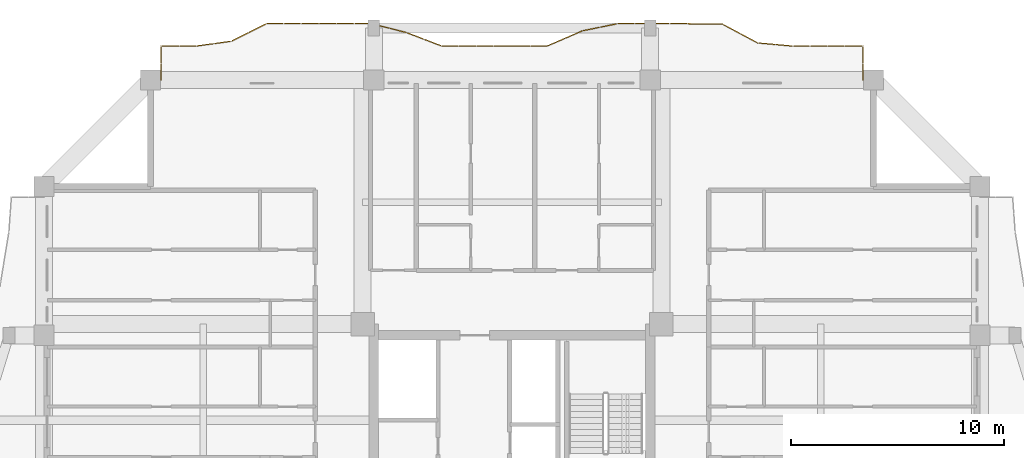
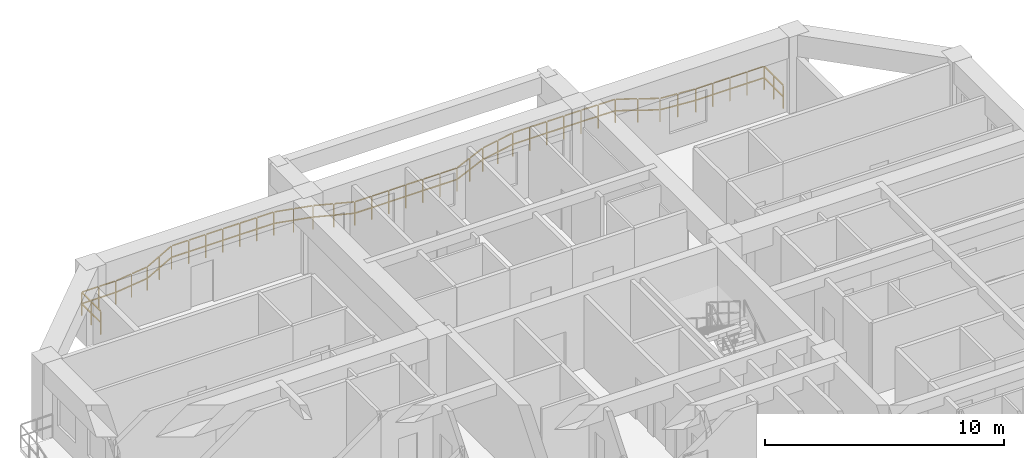
# One storey, part 15 of 15: 1 railing.
"""IFC4 building model written with IfcOpenShell, lengths in metres."""

import ifcopenshell
import ifcopenshell.guid

model = None  # the IFC model being written
_history = None  # IfcOwnerHistory: only IFC2X3 demands one
_inside = {}  # id of a spatial element -> (the spatial element, [elements in it])
_under = {}  # id of a project, library or spatial element -> (it, [spatial elements below it])
_declared = {}  # id of a project -> (the project, [libraries it declares])
_typed = {}  # id of a type object -> (the type object, [elements of that type])
_made_of = {}  # id of a material, layer set ... -> (it, [elements and type objects made of it])


def new_model(schema):
    """Start an empty IFC model of exactly this schema.

    Asked for "IFC4X3", IfcOpenShell would pick the latest addendum, in which some entities
    have other attributes; the version numbers below select the first issue.
    IFC2X3 requires an IfcOwnerHistory on every rooted entity: one is made here for all.
    """
    global model, _history
    if schema == "IFC4X3":
        model = ifcopenshell.file(schema_version=(4, 3, 0, 0))
    else:
        model = ifcopenshell.file(schema=schema)
    _inside.clear()
    _under.clear()
    _declared.clear()
    _typed.clear()
    _made_of.clear()
    _history = None
    if model.schema == "IFC2X3":
        org = make("IfcOrganization", Name="unknown")
        user = make(
            "IfcPersonAndOrganization",
            ThePerson=make("IfcPerson", FamilyName="unknown"),
            TheOrganization=org,
        )
        app = make(
            "IfcApplication",
            ApplicationDeveloper=org,
            Version="unknown",
            ApplicationFullName="unknown",
            ApplicationIdentifier="unknown",
        )
        _history = make(
            "IfcOwnerHistory",
            OwningUser=user,
            OwningApplication=app,
            ChangeAction="ADDED",
            CreationDate=0,
        )
    return model


def make(cls, **values):
    """One entity of the class cls with the attributes given. An attribute that is None is left unset."""
    return model.create_entity(
        cls, **{name: value for name, value in values.items() if value is not None}
    )


def rooted(cls, **values):
    """An entity with a GlobalId (a new one), such as an element, a storey or a relation."""
    return make(cls, GlobalId=ifcopenshell.guid.new(), OwnerHistory=_history, **values)


def si_unit(unit_type, name, prefix=None):
    """IfcSIUnit, for example si_unit("LENGTHUNIT", "METRE", prefix="MILLI")."""
    return make("IfcSIUnit", UnitType=unit_type, Prefix=prefix, Name=name)


def assignment(units):
    """IfcUnitAssignment: the units of a project."""
    return None if units is None else make("IfcUnitAssignment", Units=units)


def point(xyz):
    """IfcCartesianPoint."""
    return None if xyz is None else make("IfcCartesianPoint", Coordinates=xyz)


def direction(xyz):
    """IfcDirection."""
    return None if xyz is None else make("IfcDirection", DirectionRatios=xyz)


def frame(location, z_axis=None, x_axis=None):
    """IfcAxis2Placement3D, a coordinate frame: its origin and axes. An axis left out is left unset."""
    return make(
        "IfcAxis2Placement3D",
        Location=point(location),
        Axis=direction(z_axis),
        RefDirection=direction(x_axis),
    )


def frame_2d(location, x_axis=None):
    """IfcAxis2Placement2D, a coordinate frame in the plane: its origin and x axis."""
    return make(
        "IfcAxis2Placement2D", Location=point(location), RefDirection=direction(x_axis)
    )


def origin():
    """The frame at (0, 0, 0) with its axes left unset."""
    return frame((0.0, 0.0, 0.0))


def origin_2d():
    """The frame at (0, 0) in the plane with its x axis left unset."""
    return frame_2d((0.0, 0.0))


def place(relative_to, where):
    """IfcLocalPlacement: puts the frame where relative to a parent placement (None: the world)."""
    return make(
        "IfcLocalPlacement", PlacementRelTo=relative_to, RelativePlacement=where
    )


def context(
    kind, dimensions, precision=None, world=None, true_north=None, identifier=None
):
    """IfcGeometricRepresentationContext, for example the 3D "Model" context."""
    return make(
        "IfcGeometricRepresentationContext",
        ContextIdentifier=identifier,
        ContextType=kind,
        CoordinateSpaceDimension=dimensions,
        Precision=precision,
        WorldCoordinateSystem=world,
        TrueNorth=true_north,
    )


def subcontext(parent, identifier, kind, view, scale=None):
    """IfcGeometricRepresentationSubContext, for example "Body" below "Model"."""
    return make(
        "IfcGeometricRepresentationSubContext",
        ContextIdentifier=identifier,
        ContextType=kind,
        ParentContext=parent,
        TargetScale=scale,
        TargetView=view,
    )


def project(units=None, contexts=None):
    """IfcProject with its units and contexts."""
    return rooted(
        "IfcProject",
        Name="project",
        RepresentationContexts=contexts,
        UnitsInContext=assignment(units),
    )


def spatial(cls, under=None, at=None, **own):
    """A site, building, storey or space (cls), placed at a placement, below another one or the project."""
    s = rooted(cls, ObjectPlacement=at, **own)
    if under is not None:
        _under.setdefault(under.id(), (under, []))[1].append(s)
    return s


def profile(cls, at=None, kind="AREA", **sizes):
    """A parametric profile (cls). Its sizes go by their IFC names, for example OverallWidth=200.0."""
    return make(cls, ProfileType=kind, Position=at, **sizes)


def rectangle(**sizes):
    """IfcRectangleProfileDef."""
    return profile("IfcRectangleProfileDef", **sizes)


def extrude(swept, where, along, depth):
    """IfcExtrudedAreaSolid: the profile swept, set in the frame where, extruded along a direction by depth."""
    return make(
        "IfcExtrudedAreaSolid",
        SweptArea=swept,
        Position=where,
        ExtrudedDirection=direction(along),
        Depth=depth,
    )


def shape(context_of_items, identifier, shape_type, items):
    """IfcShapeRepresentation: the items that make up one representation, for example the "Body"."""
    return make(
        "IfcShapeRepresentation",
        ContextOfItems=context_of_items,
        RepresentationIdentifier=identifier,
        RepresentationType=shape_type,
        Items=items,
    )


def material(Name=None, Category=None):
    """IfcMaterial."""
    return make("IfcMaterial", Name=Name, Category=Category)


def made_of(thing, what):
    """Note that an element or type object is made of a material, layer set ...; save() writes the relation."""
    if what is not None:
        _made_of.setdefault(what.id(), (what, []))[1].append(thing)
    return thing


def type_object(cls, material=None, **own):
    """A type object (cls), such as IfcWallType, which elements share."""
    return made_of(rooted(cls, **own), material)


def element(
    cls,
    number,
    at=None,
    inside=None,
    cuts=None,
    type_object=None,
    material=None,
    context=None,
    identifier="Body",
    shape_type=None,
    held_by="IfcProductDefinitionShape",
    body=None,
    shapes=None,
    **own,
):
    """One element of the class cls, such as IfcWall. Its Tag is "e" and its number.

    at: its placement. inside: the storey or other place that contains it. cuts: it is an
    opening in that element (IfcRelVoidsElement). A single representation is given by context,
    identifier, shape_type and body (its items); several are given by shapes. held_by: the class
    of the entity that holds the representations. save() writes the other relations.
    """
    e = rooted(cls, Tag="e%d" % number, ObjectPlacement=at, **own)
    if body is not None:
        shapes = [shape(context, identifier, shape_type, body)]
    if shapes is not None:
        e.Representation = make(held_by, Representations=shapes)
    if inside is not None:
        _inside.setdefault(inside.id(), (inside, []))[1].append(e)
    if cuts is not None:
        rooted(
            "IfcRelVoidsElement", RelatingBuildingElement=cuts, RelatedOpeningElement=e
        )
    if type_object is not None:
        _typed.setdefault(type_object.id(), (type_object, []))[1].append(e)
    return made_of(e, material)


def aggregate(whole, parts):
    """IfcRelAggregates: a whole, such as a stair, and the parts it consists of."""
    return rooted("IfcRelAggregates", RelatingObject=whole, RelatedObjects=parts)


def save(model, path):
    """Write the relations noted so far, then the file.

    IfcRelAggregates (storeys below a building ...), IfcRelContainedInSpatialStructure (elements
    in a storey), IfcRelDefinesByType, IfcRelAssociatesMaterial and IfcRelDeclares: one each for
    every whole, place, type object, material and project.
    """
    for whole, parts in _under.values():
        aggregate(whole, parts)
    for where, things in _inside.values():
        rooted(
            "IfcRelContainedInSpatialStructure",
            RelatedElements=things,
            RelatingStructure=where,
        )
    for kind, things in _typed.values():
        rooted("IfcRelDefinesByType", RelatedObjects=things, RelatingType=kind)
    for what, things in _made_of.values():
        rooted("IfcRelAssociatesMaterial", RelatedObjects=things, RelatingMaterial=what)
    for by, libraries in _declared.values():
        rooted("IfcRelDeclares", RelatingContext=by, RelatedDefinitions=libraries)
    model.write(path)


model = new_model("IFC4")

# Units and contexts
model_context = context("Model", 3, precision=1e-05, world=origin(), true_north=direction((0.0, 1.0)))
body_context = subcontext(model_context, "Body", "Model", "MODEL_VIEW")
ifc_project = project(units=[si_unit("LENGTHUNIT", "METRE"), si_unit("AREAUNIT", "SQUARE_METRE"), si_unit("VOLUMEUNIT", "CUBIC_METRE"), si_unit("PLANEANGLEUNIT", "RADIAN"), si_unit("MASSUNIT", "GRAM", prefix="KILO")], contexts=[model_context])

# Site, building, storey
site_placement = place(None, origin())
site = spatial("IfcSite", under=ifc_project, at=site_placement, CompositionType="ELEMENT")
building_placement = place(site_placement, origin())
building = spatial("IfcBuilding", under=site, at=building_placement, Name="Saelheon Loggia Tower", CompositionType="ELEMENT")
storey_placement = place(building_placement, frame((0.0, 0.0, 159.10009765625)))
storey = spatial("IfcBuildingStorey", under=building, at=storey_placement, Name="L50", CompositionType="ELEMENT", Elevation=159.10009765625)

# Railing
ifc_material = material(Name="Architectural Precast Concrete and Laminated Glass Guard", Category="concrete")
railing_type = type_object("IfcRailingType", Name="Guard_Loggia_RL_LOG", PredefinedType="BALUSTRADE", material=ifc_material)
railing_placement = place(storey_placement, frame((54.5, 48.0, 0.0)))
element("IfcRailing", 1, at=railing_placement, inside=storey, type_object=railing_type, Name="L50 North Loggia Balustrade", PredefinedType="BALUSTRADE", context=body_context, shape_type="SweptSolid", body=[
    extrude(rectangle(XDim=0.048095703125, YDim=0.048095703125, at=origin_2d()), frame((0.0, 0.033203125, 1.19580078125), z_axis=(0.0, 1.0, 0.0), x_axis=(-1.0, 0.0, 0.0)), (0.0, 0.0, 1.0), 0.733642578125),
    extrude(rectangle(XDim=0.048095703125, YDim=0.048095703125, at=origin_2d()), frame((0.0, 0.033203125, 0.60986328125), z_axis=(0.0, 1.0, 0.0), x_axis=(-1.0, 0.0, 0.0)), (0.0, 0.0, 1.0), 0.733642578125),
    extrude(rectangle(XDim=0.048095703125, YDim=0.048095703125, at=origin_2d()), frame((0.0, 0.833251953125, 1.19580078125), z_axis=(0.0, 1.0, 0.0), x_axis=(-1.0, 0.0, 0.0)), (0.0, 0.0, 1.0), 0.733642578125),
    extrude(rectangle(XDim=0.048095703125, YDim=0.048095703125, at=origin_2d()), frame((0.0, 0.833251953125, 0.60986328125), z_axis=(0.0, 1.0, 0.0), x_axis=(-1.0, 0.0, 0.0)), (0.0, 0.0, 1.0), 0.733642578125),
    extrude(rectangle(XDim=0.048095703125, YDim=0.048095703125, at=origin_2d()), frame((-0.033203125, 1.60009765625, 1.19580078125), z_axis=(-1.0, 0.0, 0.0), x_axis=(0.0, -1.0, 0.0)), (0.0, 0.0, 1.0), 0.758544921875),
    extrude(rectangle(XDim=0.048095703125, YDim=0.048095703125, at=origin_2d()), frame((-0.033203125, 1.60009765625, 0.60986328125), z_axis=(-1.0, 0.0, 0.0), x_axis=(0.0, -1.0, 0.0)), (0.0, 0.0, 1.0), 0.758544921875),
    extrude(rectangle(XDim=0.048095703125, YDim=0.048095703125, at=origin_2d()), frame((-0.858154296875, 1.60009765625, 1.19580078125), z_axis=(-1.0, 0.0, 0.0), x_axis=(0.0, -1.0, 0.0)), (0.0, 0.0, 1.0), 0.758544921875),
    extrude(rectangle(XDim=0.048095703125, YDim=0.048095703125, at=origin_2d()), frame((-0.858154296875, 1.60009765625, 0.60986328125), z_axis=(-1.0, 0.0, 0.0), x_axis=(0.0, -1.0, 0.0)), (0.0, 0.0, 1.0), 0.758544921875),
    extrude(rectangle(XDim=0.048095703125, YDim=0.048095703125, at=origin_2d()), frame((-1.68310546875, 1.60009765625, 1.19580078125), z_axis=(-1.0, 0.0, 0.0), x_axis=(0.0, -1.0, 0.0)), (0.0, 0.0, 1.0), 0.758544921875),
    extrude(rectangle(XDim=0.048095703125, YDim=0.048095703125, at=origin_2d()), frame((-1.68310546875, 1.60009765625, 0.60986328125), z_axis=(-1.0, 0.0, 0.0), x_axis=(0.0, -1.0, 0.0)), (0.0, 0.0, 1.0), 0.758544921875),
    extrude(rectangle(XDim=0.048095703125, YDim=0.048095703125, at=origin_2d()), frame((-2.50830078125, 1.60009765625, 1.19580078125), z_axis=(-1.0, 0.0, 0.0), x_axis=(0.0, -1.0, 0.0)), (0.0, 0.0, 1.0), 0.758544921875),
    extrude(rectangle(XDim=0.048095703125, YDim=0.048095703125, at=origin_2d()), frame((-2.50830078125, 1.60009765625, 0.60986328125), z_axis=(-1.0, 0.0, 0.0), x_axis=(0.0, -1.0, 0.0)), (0.0, 0.0, 1.0), 0.758544921875),
    extrude(rectangle(XDim=0.048095703125, YDim=0.048095703125, at=origin_2d()), frame((-3.333251953125, 1.60302734375, 1.19580078125), z_axis=(-0.995990475116, 0.089459339804, 0.0), x_axis=(-0.089459339804, -0.995990475116, 0.0)), (0.0, 0.0, 1.0), 0.76171875),
    extrude(rectangle(XDim=0.048095703125, YDim=0.048095703125, at=origin_2d()), frame((-3.333251953125, 1.60302734375, 0.60986328125), z_axis=(-0.995990475116, 0.089459339804, 0.0), x_axis=(-0.089459339804, -0.995990475116, 0.0)), (0.0, 0.0, 1.0), 0.76171875),
    extrude(rectangle(XDim=0.048095703125, YDim=0.048095703125, at=origin_2d()), frame((-4.158203125, 1.67724609375, 1.19580078125), z_axis=(-0.995990475116, 0.089459339804, 0.0), x_axis=(-0.089459339804, -0.995990475116, 0.0)), (0.0, 0.0, 1.0), 0.76171875),
    extrude(rectangle(XDim=0.048095703125, YDim=0.048095703125, at=origin_2d()), frame((-4.158203125, 1.67724609375, 0.60986328125), z_axis=(-0.995990475116, 0.089459339804, 0.0), x_axis=(-0.089459339804, -0.995990475116, 0.0)), (0.0, 0.0, 1.0), 0.76171875),
    extrude(rectangle(XDim=0.048095703125, YDim=0.048095703125, at=origin_2d()), frame((-4.979248046875, 1.763916015625, 1.19580078125), z_axis=(-0.882287890953, 0.470710184166, 0.0), x_axis=(-0.470710184166, -0.882287890953, 0.0)), (0.0, 0.0, 1.0), 0.86865234375),
    extrude(rectangle(XDim=0.048095703125, YDim=0.048095703125, at=origin_2d()), frame((-4.979248046875, 1.763916015625, 0.60986328125), z_axis=(-0.882287890953, 0.470710184166, 0.0), x_axis=(-0.470710184166, -0.882287890953, 0.0)), (0.0, 0.0, 1.0), 0.86865234375),
    extrude(rectangle(XDim=0.048095703125, YDim=0.048095703125, at=origin_2d()), frame((-5.804443359375, 2.2041015625, 1.19580078125), z_axis=(-0.882287890953, 0.470710184166, 0.0), x_axis=(-0.470710184166, -0.882287890953, 0.0)), (0.0, 0.0, 1.0), 0.86865234375),
    extrude(rectangle(XDim=0.048095703125, YDim=0.048095703125, at=origin_2d()), frame((-5.804443359375, 2.2041015625, 0.60986328125), z_axis=(-0.882287890953, 0.470710184166, 0.0), x_axis=(-0.470710184166, -0.882287890953, 0.0)), (0.0, 0.0, 1.0), 0.86865234375),
    extrude(rectangle(XDim=0.048095703125, YDim=0.048095703125, at=origin_2d()), frame((-6.63330078125, 2.629150390625, 1.19580078125), z_axis=(-0.999917145108, 0.012872564609, 0.0), x_axis=(-0.012872564609, -0.999917145108, 0.0)), (0.0, 0.0, 1.0), 0.758544921875),
    extrude(rectangle(XDim=0.048095703125, YDim=0.048095703125, at=origin_2d()), frame((-6.63330078125, 2.629150390625, 0.60986328125), z_axis=(-0.999917145108, 0.012872564609, 0.0), x_axis=(-0.012872564609, -0.999917145108, 0.0)), (0.0, 0.0, 1.0), 0.758544921875),
    extrude(rectangle(XDim=0.048095703125, YDim=0.048095703125, at=origin_2d()), frame((-7.458251953125, 2.6396484375, 1.19580078125), z_axis=(-0.999917145108, 0.012872564609, 0.0), x_axis=(-0.012872564609, -0.999917145108, 0.0)), (0.0, 0.0, 1.0), 0.758544921875),
    extrude(rectangle(XDim=0.048095703125, YDim=0.048095703125, at=origin_2d()), frame((-7.458251953125, 2.6396484375, 0.60986328125), z_axis=(-0.999917145108, 0.012872564609, 0.0), x_axis=(-0.012872564609, -0.999917145108, 0.0)), (0.0, 0.0, 1.0), 0.758544921875),
    extrude(rectangle(XDim=0.048095703125, YDim=0.048095703125, at=origin_2d()), frame((-8.283203125, 2.64990234375, 1.19580078125), z_axis=(-1.0, 0.0, 0.0), x_axis=(0.0, -1.0, 0.0)), (0.0, 0.0, 1.0), 0.758544921875),
    extrude(rectangle(XDim=0.048095703125, YDim=0.048095703125, at=origin_2d()), frame((-8.283203125, 2.64990234375, 0.60986328125), z_axis=(-1.0, 0.0, 0.0), x_axis=(0.0, -1.0, 0.0)), (0.0, 0.0, 1.0), 0.758544921875),
    extrude(rectangle(XDim=0.048095703125, YDim=0.048095703125, at=origin_2d()), frame((-9.108154296875, 2.64990234375, 1.19580078125), z_axis=(-1.0, 0.0, 0.0), x_axis=(0.0, -1.0, 0.0)), (0.0, 0.0, 1.0), 0.758544921875),
    extrude(rectangle(XDim=0.048095703125, YDim=0.048095703125, at=origin_2d()), frame((-9.108154296875, 2.64990234375, 0.60986328125), z_axis=(-1.0, 0.0, 0.0), x_axis=(0.0, -1.0, 0.0)), (0.0, 0.0, 1.0), 0.758544921875),
    extrude(rectangle(XDim=0.048095703125, YDim=0.048095703125, at=origin_2d()), frame((-9.93310546875, 2.64990234375, 1.19580078125), z_axis=(-1.0, 0.0, 0.0), x_axis=(0.0, -1.0, 0.0)), (0.0, 0.0, 1.0), 0.758544921875),
    extrude(rectangle(XDim=0.048095703125, YDim=0.048095703125, at=origin_2d()), frame((-9.93310546875, 2.64990234375, 0.60986328125), z_axis=(-1.0, 0.0, 0.0), x_axis=(0.0, -1.0, 0.0)), (0.0, 0.0, 1.0), 0.758544921875),
    extrude(rectangle(XDim=0.048095703125, YDim=0.048095703125, at=origin_2d()), frame((-10.75830078125, 2.64990234375, 1.19580078125), z_axis=(-1.0, 0.0, 0.0), x_axis=(0.0, -1.0, 0.0)), (0.0, 0.0, 1.0), 0.758544921875),
    extrude(rectangle(XDim=0.048095703125, YDim=0.048095703125, at=origin_2d()), frame((-10.75830078125, 2.64990234375, 0.60986328125), z_axis=(-1.0, 0.0, 0.0), x_axis=(0.0, -1.0, 0.0)), (0.0, 0.0, 1.0), 0.758544921875),
    extrude(rectangle(XDim=0.048095703125, YDim=0.048095703125, at=origin_2d()), frame((-11.58251953125, 2.643310546875, 1.19580078125), z_axis=(-0.979752435105, -0.200212801551, 0.0), x_axis=(0.200212801551, -0.979752435105, 0.0)), (0.0, 0.0, 1.0), 0.775634765625),
    extrude(rectangle(XDim=0.048095703125, YDim=0.048095703125, at=origin_2d()), frame((-11.58251953125, 2.643310546875, 0.60986328125), z_axis=(-0.979752435105, -0.200212801551, 0.0), x_axis=(0.200212801551, -0.979752435105, 0.0)), (0.0, 0.0, 1.0), 0.775634765625),
    extrude(rectangle(XDim=0.048095703125, YDim=0.048095703125, at=origin_2d()), frame((-12.407470703125, 2.474609375, 1.19580078125), z_axis=(-0.979752435105, -0.200212801551, 0.0), x_axis=(0.200212801551, -0.979752435105, 0.0)), (0.0, 0.0, 1.0), 0.775634765625),
    extrude(rectangle(XDim=0.048095703125, YDim=0.048095703125, at=origin_2d()), frame((-12.407470703125, 2.474609375, 0.60986328125), z_axis=(-0.979752435105, -0.200212801551, 0.0), x_axis=(0.200212801551, -0.979752435105, 0.0)), (0.0, 0.0, 1.0), 0.775634765625),
    extrude(rectangle(XDim=0.048095703125, YDim=0.048095703125, at=origin_2d()), frame((-13.23046875, 2.299560546875, 1.19580078125), z_axis=(-0.918045500157, -0.396475042899, 0.0), x_axis=(0.396475042899, -0.918045500157, 0.0)), (0.0, 0.0, 1.0), 0.832275390625),
    extrude(rectangle(XDim=0.048095703125, YDim=0.048095703125, at=origin_2d()), frame((-13.23046875, 2.299560546875, 0.60986328125), z_axis=(-0.918045500157, -0.396475042899, 0.0), x_axis=(0.396475042899, -0.918045500157, 0.0)), (0.0, 0.0, 1.0), 0.832275390625),
    extrude(rectangle(XDim=0.048095703125, YDim=0.048095703125, at=origin_2d()), frame((-14.055419921875, 1.943359375, 1.19580078125), z_axis=(-0.918045500157, -0.396475042899, 0.0), x_axis=(0.396475042899, -0.918045500157, 0.0)), (0.0, 0.0, 1.0), 0.832275390625),
    extrude(rectangle(XDim=0.048095703125, YDim=0.048095703125, at=origin_2d()), frame((-14.055419921875, 1.943359375, 0.60986328125), z_axis=(-0.918045500157, -0.396475042899, 0.0), x_axis=(0.396475042899, -0.918045500157, 0.0)), (0.0, 0.0, 1.0), 0.832275390625),
    extrude(rectangle(XDim=0.048095703125, YDim=0.048095703125, at=origin_2d()), frame((-14.88330078125, 1.60009765625, 1.19580078125), z_axis=(-1.0, 0.0, 0.0), x_axis=(0.0, -1.0, 0.0)), (0.0, 0.0, 1.0), 0.758544921875),
    extrude(rectangle(XDim=0.048095703125, YDim=0.048095703125, at=origin_2d()), frame((-14.88330078125, 1.60009765625, 0.60986328125), z_axis=(-1.0, 0.0, 0.0), x_axis=(0.0, -1.0, 0.0)), (0.0, 0.0, 1.0), 0.758544921875),
    extrude(rectangle(XDim=0.048095703125, YDim=0.048095703125, at=origin_2d()), frame((-15.708251953125, 1.60009765625, 1.19580078125), z_axis=(-1.0, 0.0, 0.0), x_axis=(0.0, -1.0, 0.0)), (0.0, 0.0, 1.0), 0.758544921875),
    extrude(rectangle(XDim=0.048095703125, YDim=0.048095703125, at=origin_2d()), frame((-15.708251953125, 1.60009765625, 0.60986328125), z_axis=(-1.0, 0.0, 0.0), x_axis=(0.0, -1.0, 0.0)), (0.0, 0.0, 1.0), 0.758544921875),
    extrude(rectangle(XDim=0.048095703125, YDim=0.048095703125, at=origin_2d()), frame((-16.533203125, 1.60009765625, 1.19580078125), z_axis=(-1.0, 0.0, 0.0), x_axis=(0.0, -1.0, 0.0)), (0.0, 0.0, 1.0), 0.758544921875),
    extrude(rectangle(XDim=0.048095703125, YDim=0.048095703125, at=origin_2d()), frame((-16.533203125, 1.60009765625, 0.60986328125), z_axis=(-1.0, 0.0, 0.0), x_axis=(0.0, -1.0, 0.0)), (0.0, 0.0, 1.0), 0.758544921875),
    extrude(rectangle(XDim=0.048095703125, YDim=0.048095703125, at=origin_2d()), frame((-17.358154296875, 1.60009765625, 1.19580078125), z_axis=(-1.0, 0.0, 0.0), x_axis=(0.0, -1.0, 0.0)), (0.0, 0.0, 1.0), 0.758544921875),
    extrude(rectangle(XDim=0.048095703125, YDim=0.048095703125, at=origin_2d()), frame((-17.358154296875, 1.60009765625, 0.60986328125), z_axis=(-1.0, 0.0, 0.0), x_axis=(0.0, -1.0, 0.0)), (0.0, 0.0, 1.0), 0.758544921875),
    extrude(rectangle(XDim=0.048095703125, YDim=0.048095703125, at=origin_2d()), frame((-18.18310546875, 1.60009765625, 1.19580078125), z_axis=(-1.0, 0.0, 0.0), x_axis=(0.0, -1.0, 0.0)), (0.0, 0.0, 1.0), 0.758544921875),
    extrude(rectangle(XDim=0.048095703125, YDim=0.048095703125, at=origin_2d()), frame((-18.18310546875, 1.60009765625, 0.60986328125), z_axis=(-1.0, 0.0, 0.0), x_axis=(0.0, -1.0, 0.0)), (0.0, 0.0, 1.0), 0.758544921875),
    extrude(rectangle(XDim=0.048095703125, YDim=0.048095703125, at=origin_2d()), frame((-19.00830078125, 1.60009765625, 1.19580078125), z_axis=(-1.0, 0.0, 0.0), x_axis=(0.0, -1.0, 0.0)), (0.0, 0.0, 1.0), 0.758544921875),
    extrude(rectangle(XDim=0.048095703125, YDim=0.048095703125, at=origin_2d()), frame((-19.00830078125, 1.60009765625, 0.60986328125), z_axis=(-1.0, 0.0, 0.0), x_axis=(0.0, -1.0, 0.0)), (0.0, 0.0, 1.0), 0.758544921875),
    extrude(rectangle(XDim=0.048095703125, YDim=0.048095703125, at=origin_2d()), frame((-19.8310546875, 1.612060546875, 1.19580078125), z_axis=(-0.933956887017, 0.357385692487, 0.0), x_axis=(-0.357385692487, -0.933956887017, 0.0)), (0.0, 0.0, 1.0), 0.81689453125),
    extrude(rectangle(XDim=0.048095703125, YDim=0.048095703125, at=origin_2d()), frame((-19.8310546875, 1.612060546875, 0.60986328125), z_axis=(-0.933956887017, 0.357385692487, 0.0), x_axis=(-0.357385692487, -0.933956887017, 0.0)), (0.0, 0.0, 1.0), 0.81689453125),
    extrude(rectangle(XDim=0.048095703125, YDim=0.048095703125, at=origin_2d()), frame((-20.656005859375, 1.927734375, 1.19580078125), z_axis=(-0.933956887017, 0.357385692487, 0.0), x_axis=(-0.357385692487, -0.933956887017, 0.0)), (0.0, 0.0, 1.0), 0.81689453125),
    extrude(rectangle(XDim=0.048095703125, YDim=0.048095703125, at=origin_2d()), frame((-20.656005859375, 1.927734375, 0.60986328125), z_axis=(-0.933956887017, 0.357385692487, 0.0), x_axis=(-0.357385692487, -0.933956887017, 0.0)), (0.0, 0.0, 1.0), 0.81689453125),
    extrude(rectangle(XDim=0.048095703125, YDim=0.048095703125, at=origin_2d()), frame((-21.482177734375, 2.239501953125, 1.19580078125), z_axis=(-0.969318689035, 0.245807402427, 0.0), x_axis=(-0.245807402427, -0.969318689035, 0.0)), (0.0, 0.0, 1.0), 0.78466796875),
    extrude(rectangle(XDim=0.048095703125, YDim=0.048095703125, at=origin_2d()), frame((-21.482177734375, 2.239501953125, 0.60986328125), z_axis=(-0.969318689035, 0.245807402427, 0.0), x_axis=(-0.245807402427, -0.969318689035, 0.0)), (0.0, 0.0, 1.0), 0.78466796875),
    extrude(rectangle(XDim=0.048095703125, YDim=0.048095703125, at=origin_2d()), frame((-22.30712890625, 2.44873046875, 1.19580078125), z_axis=(-0.969318689035, 0.245807402427, 0.0), x_axis=(-0.245807402427, -0.969318689035, 0.0)), (0.0, 0.0, 1.0), 0.78466796875),
    extrude(rectangle(XDim=0.048095703125, YDim=0.048095703125, at=origin_2d()), frame((-22.30712890625, 2.44873046875, 0.60986328125), z_axis=(-0.969318689035, 0.245807402427, 0.0), x_axis=(-0.245807402427, -0.969318689035, 0.0)), (0.0, 0.0, 1.0), 0.78466796875),
    extrude(rectangle(XDim=0.048095703125, YDim=0.048095703125, at=origin_2d()), frame((-23.13330078125, 2.64990234375, 1.19580078125), z_axis=(-1.0, 0.0, 0.0), x_axis=(0.0, -1.0, 0.0)), (0.0, 0.0, 1.0), 0.758544921875),
    extrude(rectangle(XDim=0.048095703125, YDim=0.048095703125, at=origin_2d()), frame((-23.13330078125, 2.64990234375, 0.60986328125), z_axis=(-1.0, 0.0, 0.0), x_axis=(0.0, -1.0, 0.0)), (0.0, 0.0, 1.0), 0.758544921875),
    extrude(rectangle(XDim=0.048095703125, YDim=0.048095703125, at=origin_2d()), frame((-23.958251953125, 2.64990234375, 1.19580078125), z_axis=(-1.0, 0.0, 0.0), x_axis=(0.0, -1.0, 0.0)), (0.0, 0.0, 1.0), 0.758544921875),
    extrude(rectangle(XDim=0.048095703125, YDim=0.048095703125, at=origin_2d()), frame((-23.958251953125, 2.64990234375, 0.60986328125), z_axis=(-1.0, 0.0, 0.0), x_axis=(0.0, -1.0, 0.0)), (0.0, 0.0, 1.0), 0.758544921875),
    extrude(rectangle(XDim=0.048095703125, YDim=0.048095703125, at=origin_2d()), frame((-24.783203125, 2.64990234375, 1.19580078125), z_axis=(-1.0, 0.0, 0.0), x_axis=(0.0, -1.0, 0.0)), (0.0, 0.0, 1.0), 0.758544921875),
    extrude(rectangle(XDim=0.048095703125, YDim=0.048095703125, at=origin_2d()), frame((-24.783203125, 2.64990234375, 0.60986328125), z_axis=(-1.0, 0.0, 0.0), x_axis=(0.0, -1.0, 0.0)), (0.0, 0.0, 1.0), 0.758544921875),
    extrude(rectangle(XDim=0.048095703125, YDim=0.048095703125, at=origin_2d()), frame((-25.608154296875, 2.64990234375, 1.19580078125), z_axis=(-1.0, 0.0, 0.0), x_axis=(0.0, -1.0, 0.0)), (0.0, 0.0, 1.0), 0.758544921875),
    extrude(rectangle(XDim=0.048095703125, YDim=0.048095703125, at=origin_2d()), frame((-25.608154296875, 2.64990234375, 0.60986328125), z_axis=(-1.0, 0.0, 0.0), x_axis=(0.0, -1.0, 0.0)), (0.0, 0.0, 1.0), 0.758544921875),
    extrude(rectangle(XDim=0.048095703125, YDim=0.048095703125, at=origin_2d()), frame((-26.43310546875, 2.64990234375, 1.19580078125), z_axis=(-1.0, 0.0, 0.0), x_axis=(0.0, -1.0, 0.0)), (0.0, 0.0, 1.0), 0.758544921875),
    extrude(rectangle(XDim=0.048095703125, YDim=0.048095703125, at=origin_2d()), frame((-26.43310546875, 2.64990234375, 0.60986328125), z_axis=(-1.0, 0.0, 0.0), x_axis=(0.0, -1.0, 0.0)), (0.0, 0.0, 1.0), 0.758544921875),
    extrude(rectangle(XDim=0.048095703125, YDim=0.048095703125, at=origin_2d()), frame((-27.25830078125, 2.64990234375, 1.19580078125), z_axis=(-1.0, 0.0, 0.0), x_axis=(0.0, -1.0, 0.0)), (0.0, 0.0, 1.0), 0.758544921875),
    extrude(rectangle(XDim=0.048095703125, YDim=0.048095703125, at=origin_2d()), frame((-27.25830078125, 2.64990234375, 0.60986328125), z_axis=(-1.0, 0.0, 0.0), x_axis=(0.0, -1.0, 0.0)), (0.0, 0.0, 1.0), 0.758544921875),
    extrude(rectangle(XDim=0.048095703125, YDim=0.048095703125, at=origin_2d()), frame((-28.079833984375, 2.635009765625, 1.19580078125), z_axis=(-0.894850512771, -0.446365948291, 0.0), x_axis=(0.446365948291, -0.894850512771, 0.0)), (0.0, 0.0, 1.0), 0.85546875),
    extrude(rectangle(XDim=0.048095703125, YDim=0.048095703125, at=origin_2d()), frame((-28.079833984375, 2.635009765625, 0.60986328125), z_axis=(-0.894850512771, -0.446365948291, 0.0), x_axis=(0.446365948291, -0.894850512771, 0.0)), (0.0, 0.0, 1.0), 0.85546875),
    extrude(rectangle(XDim=0.048095703125, YDim=0.048095703125, at=origin_2d()), frame((-28.90478515625, 2.2236328125, 1.19580078125), z_axis=(-0.894850512771, -0.446365948291, 0.0), x_axis=(0.446365948291, -0.894850512771, 0.0)), (0.0, 0.0, 1.0), 0.85546875),
    extrude(rectangle(XDim=0.048095703125, YDim=0.048095703125, at=origin_2d()), frame((-28.90478515625, 2.2236328125, 0.60986328125), z_axis=(-0.894850512771, -0.446365948291, 0.0), x_axis=(0.446365948291, -0.894850512771, 0.0)), (0.0, 0.0, 1.0), 0.85546875),
    extrude(rectangle(XDim=0.048095703125, YDim=0.048095703125, at=origin_2d()), frame((-29.73291015625, 1.822265625, 1.19580078125), z_axis=(-0.990686008653, -0.136166193525, 0.0), x_axis=(0.136166193525, -0.990686008653, 0.0)), (0.0, 0.0, 1.0), 0.766357421875),
    extrude(rectangle(XDim=0.048095703125, YDim=0.048095703125, at=origin_2d()), frame((-29.73291015625, 1.822265625, 0.60986328125), z_axis=(-0.990686008653, -0.136166193525, 0.0), x_axis=(0.136166193525, -0.990686008653, 0.0)), (0.0, 0.0, 1.0), 0.766357421875),
    extrude(rectangle(XDim=0.048095703125, YDim=0.048095703125, at=origin_2d()), frame((-30.557861328125, 1.708984375, 1.19580078125), z_axis=(-0.990686008653, -0.136166193525, 0.0), x_axis=(0.136166193525, -0.990686008653, 0.0)), (0.0, 0.0, 1.0), 0.766357421875),
    extrude(rectangle(XDim=0.048095703125, YDim=0.048095703125, at=origin_2d()), frame((-30.557861328125, 1.708984375, 0.60986328125), z_axis=(-0.990686008653, -0.136166193525, 0.0), x_axis=(0.136166193525, -0.990686008653, 0.0)), (0.0, 0.0, 1.0), 0.766357421875),
    extrude(rectangle(XDim=0.048095703125, YDim=0.048095703125, at=origin_2d()), frame((-31.38330078125, 1.60009765625, 1.19580078125), z_axis=(-1.0, 0.0, 0.0), x_axis=(0.0, -1.0, 0.0)), (0.0, 0.0, 1.0), 0.758544921875),
    extrude(rectangle(XDim=0.048095703125, YDim=0.048095703125, at=origin_2d()), frame((-31.38330078125, 1.60009765625, 0.60986328125), z_axis=(-1.0, 0.0, 0.0), x_axis=(0.0, -1.0, 0.0)), (0.0, 0.0, 1.0), 0.758544921875),
    extrude(rectangle(XDim=0.048095703125, YDim=0.048095703125, at=origin_2d()), frame((-32.208251953125, 1.60009765625, 1.19580078125), z_axis=(-1.0, 0.0, 0.0), x_axis=(0.0, -1.0, 0.0)), (0.0, 0.0, 1.0), 0.758544921875),
    extrude(rectangle(XDim=0.048095703125, YDim=0.048095703125, at=origin_2d()), frame((-32.208251953125, 1.60009765625, 0.60986328125), z_axis=(-1.0, 0.0, 0.0), x_axis=(0.0, -1.0, 0.0)), (0.0, 0.0, 1.0), 0.758544921875),
    extrude(rectangle(XDim=0.048095703125, YDim=0.048095703125, at=origin_2d()), frame((-33.0, 1.56689453125, 1.19580078125), z_axis=(0.0, -1.0, 0.0), x_axis=(1.0, 0.0, 0.0)), (0.0, 0.0, 1.0), 0.733642578125),
    extrude(rectangle(XDim=0.048095703125, YDim=0.048095703125, at=origin_2d()), frame((-33.0, 1.56689453125, 0.60986328125), z_axis=(0.0, -1.0, 0.0), x_axis=(1.0, 0.0, 0.0)), (0.0, 0.0, 1.0), 0.733642578125),
    extrude(rectangle(XDim=0.048095703125, YDim=0.048095703125, at=origin_2d()), frame((-33.0, 0.766845703125, 1.19580078125), z_axis=(0.0, -1.0, 0.0), x_axis=(1.0, 0.0, 0.0)), (0.0, 0.0, 1.0), 0.733642578125),
    extrude(rectangle(XDim=0.048095703125, YDim=0.048095703125, at=origin_2d()), frame((-33.0, 0.766845703125, 0.60986328125), z_axis=(0.0, -1.0, 0.0), x_axis=(1.0, 0.0, 0.0)), (0.0, 0.0, 1.0), 0.733642578125),
    extrude(rectangle(XDim=0.0419921875, YDim=0.0419921875, at=origin_2d()), origin(), (0.0, 0.0, 1.0), 1.16796875),
    extrude(rectangle(XDim=0.0419921875, YDim=0.0419921875, at=origin_2d()), frame((0.0, 0.800048828125, 0.0)), (0.0, 0.0, 1.0), 1.16796875),
    extrude(rectangle(XDim=0.0419921875, YDim=0.0419921875, at=origin_2d()), frame((0.0, 1.60009765625, 0.0)), (0.0, 0.0, 1.0), 1.16796875),
    extrude(rectangle(XDim=0.0419921875, YDim=0.0419921875, at=origin_2d()), frame((-0.824951171875, 1.60009765625, 0.0)), (0.0, 0.0, 1.0), 1.16796875),
    extrude(rectangle(XDim=0.0419921875, YDim=0.0419921875, at=origin_2d()), frame((-1.64990234375, 1.60009765625, 0.0)), (0.0, 0.0, 1.0), 1.16796875),
    extrude(rectangle(XDim=0.0419921875, YDim=0.0419921875, at=origin_2d()), frame((-2.47509765625, 1.60009765625, 0.0)), (0.0, 0.0, 1.0), 1.16796875),
    extrude(rectangle(XDim=0.0419921875, YDim=0.0419921875, at=origin_2d()), frame((-3.300048828125, 1.60009765625, 0.0)), (0.0, 0.0, 1.0), 1.16796875),
    extrude(rectangle(XDim=0.0419921875, YDim=0.0419921875, at=origin_2d()), frame((-4.125, 1.67431640625, 0.0)), (0.0, 0.0, 1.0), 1.16796875),
    extrude(rectangle(XDim=0.0419921875, YDim=0.0419921875, at=origin_2d()), frame((-4.949951171875, 1.748291015625, 0.0)), (0.0, 0.0, 1.0), 1.16796875),
    extrude(rectangle(XDim=0.0419921875, YDim=0.0419921875, at=origin_2d()), frame((-5.77490234375, 2.1884765625, 0.0)), (0.0, 0.0, 1.0), 1.16796875),
    extrude(rectangle(XDim=0.0419921875, YDim=0.0419921875, at=origin_2d()), frame((-6.60009765625, 2.628662109375, 0.0)), (0.0, 0.0, 1.0), 1.16796875),
    extrude(rectangle(XDim=0.0419921875, YDim=0.0419921875, at=origin_2d()), frame((-7.425048828125, 2.63916015625, 0.0)), (0.0, 0.0, 1.0), 1.16796875),
    extrude(rectangle(XDim=0.0419921875, YDim=0.0419921875, at=origin_2d()), frame((-8.25, 2.64990234375, 0.0)), (0.0, 0.0, 1.0), 1.16796875),
    extrude(rectangle(XDim=0.0419921875, YDim=0.0419921875, at=origin_2d()), frame((-9.074951171875, 2.64990234375, 0.0)), (0.0, 0.0, 1.0), 1.16796875),
    extrude(rectangle(XDim=0.0419921875, YDim=0.0419921875, at=origin_2d()), frame((-9.89990234375, 2.64990234375, 0.0)), (0.0, 0.0, 1.0), 1.16796875),
    extrude(rectangle(XDim=0.0419921875, YDim=0.0419921875, at=origin_2d()), frame((-10.72509765625, 2.64990234375, 0.0)), (0.0, 0.0, 1.0), 1.16796875),
    extrude(rectangle(XDim=0.0419921875, YDim=0.0419921875, at=origin_2d()), frame((-11.550048828125, 2.64990234375, 0.0)), (0.0, 0.0, 1.0), 1.16796875),
    extrude(rectangle(XDim=0.0419921875, YDim=0.0419921875, at=origin_2d()), frame((-12.375, 2.4814453125, 0.0)), (0.0, 0.0, 1.0), 1.16796875),
    extrude(rectangle(XDim=0.0419921875, YDim=0.0419921875, at=origin_2d()), frame((-13.199951171875, 2.312744140625, 0.0)), (0.0, 0.0, 1.0), 1.16796875),
    extrude(rectangle(XDim=0.0419921875, YDim=0.0419921875, at=origin_2d()), frame((-14.02490234375, 1.95654296875, 0.0)), (0.0, 0.0, 1.0), 1.16796875),
    extrude(rectangle(XDim=0.0419921875, YDim=0.0419921875, at=origin_2d()), frame((-14.85009765625, 1.60009765625, 0.0)), (0.0, 0.0, 1.0), 1.16796875),
    extrude(rectangle(XDim=0.0419921875, YDim=0.0419921875, at=origin_2d()), frame((-15.675048828125, 1.60009765625, 0.0)), (0.0, 0.0, 1.0), 1.16796875),
    extrude(rectangle(XDim=0.0419921875, YDim=0.0419921875, at=origin_2d()), frame((-16.5, 1.60009765625, 0.0)), (0.0, 0.0, 1.0), 1.16796875),
    extrude(rectangle(XDim=0.0419921875, YDim=0.0419921875, at=origin_2d()), frame((-17.324951171875, 1.60009765625, 0.0)), (0.0, 0.0, 1.0), 1.16796875),
    extrude(rectangle(XDim=0.0419921875, YDim=0.0419921875, at=origin_2d()), frame((-18.14990234375, 1.60009765625, 0.0)), (0.0, 0.0, 1.0), 1.16796875),
    extrude(rectangle(XDim=0.0419921875, YDim=0.0419921875, at=origin_2d()), frame((-18.97509765625, 1.60009765625, 0.0)), (0.0, 0.0, 1.0), 1.16796875),
    extrude(rectangle(XDim=0.0419921875, YDim=0.0419921875, at=origin_2d()), frame((-19.800048828125, 1.60009765625, 0.0)), (0.0, 0.0, 1.0), 1.16796875),
    extrude(rectangle(XDim=0.0419921875, YDim=0.0419921875, at=origin_2d()), frame((-20.625, 1.915771484375, 0.0)), (0.0, 0.0, 1.0), 1.16796875),
    extrude(rectangle(XDim=0.0419921875, YDim=0.0419921875, at=origin_2d()), frame((-21.449951171875, 2.2314453125, 0.0)), (0.0, 0.0, 1.0), 1.16796875),
    extrude(rectangle(XDim=0.0419921875, YDim=0.0419921875, at=origin_2d()), frame((-22.27490234375, 2.440673828125, 0.0)), (0.0, 0.0, 1.0), 1.16796875),
    extrude(rectangle(XDim=0.0419921875, YDim=0.0419921875, at=origin_2d()), frame((-23.10009765625, 2.64990234375, 0.0)), (0.0, 0.0, 1.0), 1.16796875),
    extrude(rectangle(XDim=0.0419921875, YDim=0.0419921875, at=origin_2d()), frame((-23.925048828125, 2.64990234375, 0.0)), (0.0, 0.0, 1.0), 1.16796875),
    extrude(rectangle(XDim=0.0419921875, YDim=0.0419921875, at=origin_2d()), frame((-24.75, 2.64990234375, 0.0)), (0.0, 0.0, 1.0), 1.16796875),
    extrude(rectangle(XDim=0.0419921875, YDim=0.0419921875, at=origin_2d()), frame((-25.574951171875, 2.64990234375, 0.0)), (0.0, 0.0, 1.0), 1.16796875),
    extrude(rectangle(XDim=0.0419921875, YDim=0.0419921875, at=origin_2d()), frame((-26.39990234375, 2.64990234375, 0.0)), (0.0, 0.0, 1.0), 1.16796875),
    extrude(rectangle(XDim=0.0419921875, YDim=0.0419921875, at=origin_2d()), frame((-27.22509765625, 2.64990234375, 0.0)), (0.0, 0.0, 1.0), 1.16796875),
    extrude(rectangle(XDim=0.0419921875, YDim=0.0419921875, at=origin_2d()), frame((-28.050048828125, 2.64990234375, 0.0)), (0.0, 0.0, 1.0), 1.16796875),
    extrude(rectangle(XDim=0.0419921875, YDim=0.0419921875, at=origin_2d()), frame((-28.875, 2.23828125, 0.0)), (0.0, 0.0, 1.0), 1.16796875),
    extrude(rectangle(XDim=0.0419921875, YDim=0.0419921875, at=origin_2d()), frame((-29.699951171875, 1.826904296875, 0.0)), (0.0, 0.0, 1.0), 1.16796875),
    extrude(rectangle(XDim=0.0419921875, YDim=0.0419921875, at=origin_2d()), frame((-30.52490234375, 1.71337890625, 0.0)), (0.0, 0.0, 1.0), 1.16796875),
    extrude(rectangle(XDim=0.0419921875, YDim=0.0419921875, at=origin_2d()), frame((-31.35009765625, 1.60009765625, 0.0)), (0.0, 0.0, 1.0), 1.16796875),
    extrude(rectangle(XDim=0.0419921875, YDim=0.0419921875, at=origin_2d()), frame((-32.175048828125, 1.60009765625, 0.0)), (0.0, 0.0, 1.0), 1.16796875),
    extrude(rectangle(XDim=0.0419921875, YDim=0.0419921875, at=origin_2d()), frame((-33.0, 1.60009765625, 0.0)), (0.0, 0.0, 1.0), 1.16796875),
    extrude(rectangle(XDim=0.0419921875, YDim=0.0419921875, at=origin_2d()), frame((-33.0, 0.800048828125, 0.0)), (0.0, 0.0, 1.0), 1.16796875),
    extrude(rectangle(XDim=0.0419921875, YDim=0.0419921875, at=origin_2d()), frame((-33.0, 0.0, 0.0)), (0.0, 0.0, 1.0), 1.16796875),
])

save(model, "model.ifc")
